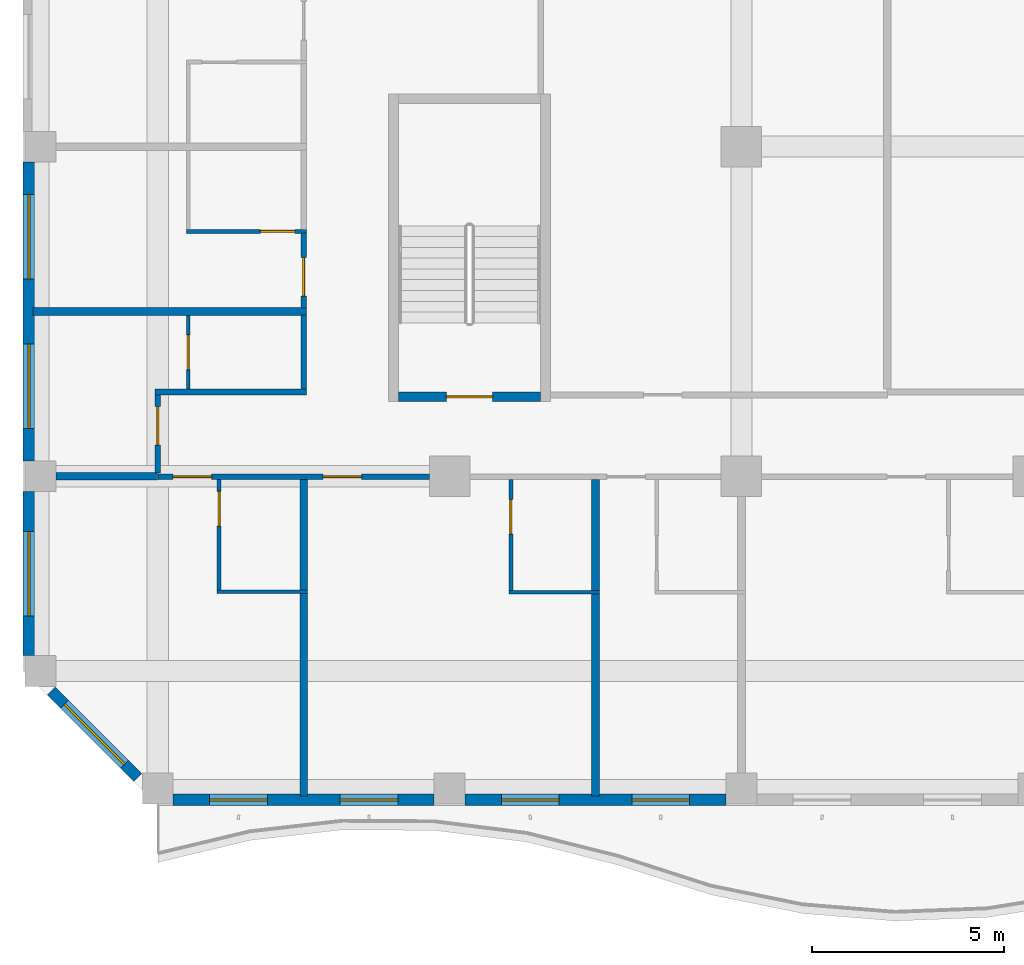
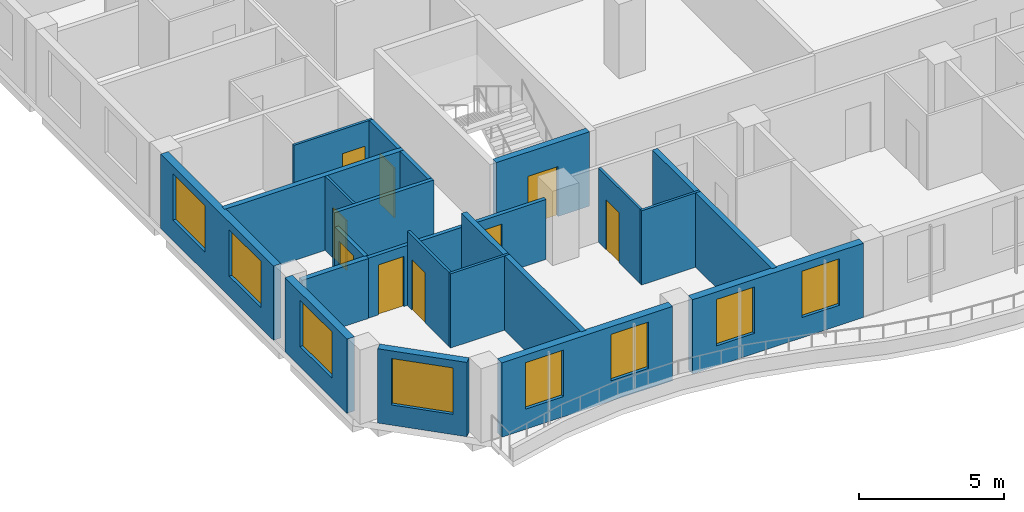
# One storey, part 2 of 23: 23 walls, 9 doors, 8 windows, 17 openings.
"""IFC4 building model written with IfcOpenShell, lengths in metres."""

from ifc_helpers import new_model, si_unit, direction, frame, frame_2d, origin, place, context, subcontext, project, spatial, rectangle, extrude, source, transform, mapped, material, layer, layer_set, type_object, element, fill, save


model = new_model("IFC4")

# Units and contexts
model_context = context("Model", 3, precision=1e-05, world=origin(), true_north=direction((0.0, 1.0)))
body_context = subcontext(model_context, "Body", "Model", "MODEL_VIEW")
ifc_project = project(units=[si_unit("LENGTHUNIT", "METRE"), si_unit("AREAUNIT", "SQUARE_METRE"), si_unit("VOLUMEUNIT", "CUBIC_METRE"), si_unit("PLANEANGLEUNIT", "RADIAN"), si_unit("MASSUNIT", "GRAM", prefix="KILO")], contexts=[model_context])

# Site, building, storey
site_placement = place(None, origin())
site = spatial("IfcSite", under=ifc_project, at=site_placement, CompositionType="ELEMENT")
building_placement = place(site_placement, origin())
building = spatial("IfcBuilding", under=site, at=building_placement, Name="Kilnfold Tower and Market Hall", CompositionType="ELEMENT")
storey_placement = place(building_placement, frame((0.0, 0.0, 178.699951171875)))
storey = spatial("IfcBuildingStorey", under=building, at=storey_placement, Name="L42", CompositionType="ELEMENT", Elevation=178.699951171875)

# Wall, openings, doors
ifc_material_1 = material(Name="Gypsum board on steel studs", Category="steel")
ifc_layer_1 = layer(ifc_material_1, 0.14990234375)
ifc_layer_set_1 = layer_set([ifc_layer_1], Name="Gypsum board on steel studs")
wall_type_1 = type_object("IfcWallType", Name="WALL CORRIDOR 150", PredefinedType="PARTITIONING", material=ifc_layer_set_1)
wall_1_placement = place(storey_placement, frame((-23.75, -17.699951171875, 0.0), z_axis=(0.0, 0.0, 1.0), x_axis=(1.0, 0.0, 0.0)))
wall_1 = element("IfcWall", 1, at=wall_1_placement, inside=storey, type_object=wall_type_1, Name="Partition LY27.1", PredefinedType="PARTITIONING", context=body_context, shape_type="SweptSolid", body=[
    extrude(rectangle(XDim=7.05810546875, YDim=0.14990234375, at=frame_2d((3.529052734375, 0.0))), origin(), (0.0, 0.0, 1.0), 2.52001953125),
])
opening_1_placement = place(wall_1_placement, frame((0.40087890625, 0.0, 0.0)))
opening_1 = element("IfcOpeningElement", 2, at=opening_1_placement, cuts=wall_1, Name="Opening D1", PredefinedType="OPENING", context=body_context, shape_type="SweptSolid", body=[
    extrude(rectangle(XDim=1.0, YDim=2.10009765625, at=frame_2d((0.5, 1.050048828125))), frame((0.0, 0.0849609375, 0.0), z_axis=(0.0, -1.0, 0.0), x_axis=(1.0, 0.0, 0.0)), (0.0, 0.0, 1.0), 0.169921875),
])
opening_2_placement = place(wall_1_placement, frame((4.2939453125, 0.0, 0.0)))
opening_2 = element("IfcOpeningElement", 3, at=opening_2_placement, cuts=wall_1, Name="Opening D1", PredefinedType="OPENING", context=body_context, shape_type="SweptSolid", body=[
    extrude(rectangle(XDim=1.0, YDim=2.10009765625, at=frame_2d((0.5, 1.050048828125))), frame((0.0, 0.0849609375, 0.0), z_axis=(0.0, -1.0, 0.0), x_axis=(1.0, 0.0, 0.0)), (0.0, 0.0, 1.0), 0.169921875),
])
ifc_material_2 = material(Name="Timber veneer door leaf in steel frame", Category="steel")
door_type_1 = type_object("IfcDoorType", Name="DOOR ENTRY 1000 X2100", OperationType="NOTDEFINED", PredefinedType="DOOR", material=ifc_material_2)
door_1_placement = place(opening_1_placement, origin())
door_1 = element("IfcDoor", 4, at=door_1_placement, inside=storey, type_object=door_type_1, Name="Door D1", OperationType="SINGLE_SWING_LEFT", OverallHeight=2.10009765625, OverallWidth=1.0, PredefinedType="DOOR", context=body_context, shape_type="SweptSolid", body=[
    extrude(rectangle(XDim=1.0, YDim=2.10009765625, at=frame_2d((0.5, 1.050048828125))), frame((0.0, 0.02490234375, 0.0), z_axis=(0.0, -1.0, 0.0), x_axis=(1.0, 0.0, 0.0)), (0.0, 0.0, 1.0), 0.050048828125),
])
fill(opening_1, door_1)
door_2_placement = place(opening_2_placement, origin())
door_2 = element("IfcDoor", 5, at=door_2_placement, inside=storey, type_object=door_type_1, Name="Door D1", OperationType="SINGLE_SWING_RIGHT", OverallHeight=2.10009765625, OverallWidth=1.0, PredefinedType="DOOR", context=body_context, shape_type="SweptSolid", body=[
    extrude(rectangle(XDim=1.0, YDim=2.10009765625, at=frame_2d((0.5, 1.050048828125))), frame((0.0, 0.02490234375, 0.0), z_axis=(0.0, -1.0, 0.0), x_axis=(1.0, 0.0, 0.0)), (0.0, 0.0, 1.0), 0.050048828125),
])
fill(opening_2, door_2)

# Wall, opening, door
wall_2_placement = place(storey_placement, frame((-23.75, -15.574951171875, 0.0), z_axis=(0.0, 0.0, 1.0), x_axis=(0.0, -1.0, 0.0)))
wall_2 = element("IfcWall", 6, at=wall_2_placement, inside=storey, type_object=wall_type_1, Name="Partition LY27.7", PredefinedType="PARTITIONING", context=body_context, shape_type="SweptSolid", body=[
    extrude(rectangle(XDim=2.02294921875, YDim=0.14990234375, at=frame_2d((1.011474609375, 0.0))), origin(), (0.0, 0.0, 1.0), 2.52001953125),
])
opening_3_placement = place(wall_2_placement, frame((0.303955078125, 0.0, 0.0)))
opening_3 = element("IfcOpeningElement", 7, at=opening_3_placement, cuts=wall_2, Name="Opening D1", PredefinedType="OPENING", context=body_context, shape_type="SweptSolid", body=[
    extrude(rectangle(XDim=1.0, YDim=2.10009765625, at=frame_2d((0.5, 1.050048828125))), frame((0.0, 0.0849609375, 0.0), z_axis=(0.0, -1.0, 0.0), x_axis=(1.0, 0.0, 0.0)), (0.0, 0.0, 1.0), 0.169921875),
])
door_3_placement = place(opening_3_placement, origin())
door_3 = element("IfcDoor", 8, at=door_3_placement, inside=storey, type_object=door_type_1, Name="Door D1", OperationType="SINGLE_SWING_RIGHT", OverallHeight=2.10009765625, OverallWidth=1.0, PredefinedType="DOOR", context=body_context, shape_type="SweptSolid", body=[
    extrude(rectangle(XDim=1.0, YDim=2.10009765625, at=frame_2d((0.5, 1.050048828125))), frame((0.0, 0.02490234375, 0.0), z_axis=(0.0, -1.0, 0.0), x_axis=(1.0, 0.0, 0.0)), (0.0, 0.0, 1.0), 0.050048828125),
])
fill(opening_3, door_3)

# Walls
wall_3_placement = place(storey_placement, frame((-23.824951171875, -15.5, 0.0), z_axis=(0.0, 0.0, 1.0), x_axis=(1.0, 0.0, 0.0)))
element("IfcWall", 9, at=wall_3_placement, inside=storey, type_object=wall_type_1, Name="Partition LY27.8", PredefinedType="PARTITIONING", context=body_context, shape_type="SweptSolid", body=[
    extrude(rectangle(XDim=3.94091796875, YDim=0.14990234375, at=frame_2d((1.970458984375, 0.0))), origin(), (0.0, 0.0, 1.0), 3.1201171875),
])
wall_4_placement = place(storey_placement, frame((-19.958984375, -15.425048828125, 0.0), z_axis=(0.0, 0.0, 1.0), x_axis=(0.0, 1.0, 0.0)))
element("IfcWall", 10, at=wall_4_placement, inside=storey, type_object=wall_type_1, Name="Partition LY27.9", PredefinedType="PARTITIONING", context=body_context, shape_type="SweptSolid", body=[
    extrude(rectangle(XDim=1.928955078125, YDim=0.14990234375, at=frame_2d((0.96435546875, 0.0))), origin(), (0.0, 0.0, 1.0), 3.1201171875),
])

# Wall, opening, door
wall_5_placement = place(storey_placement, frame((-19.958984375, -13.31591796875, 0.0), z_axis=(0.0, 0.0, 1.0), x_axis=(0.0, 1.0, 0.0)))
wall_5 = element("IfcWall", 11, at=wall_5_placement, inside=storey, type_object=wall_type_1, Name="Partition LY27.10", PredefinedType="PARTITIONING", context=body_context, shape_type="SweptSolid", body=[
    extrude(rectangle(XDim=1.950927734375, YDim=0.14990234375, at=frame_2d((0.9755859375, 0.0))), origin(), (0.0, 0.0, 1.0), 3.1201171875),
])
opening_4_placement = place(wall_5_placement, frame((0.31005859375, 0.0, 0.0)))
opening_4 = element("IfcOpeningElement", 12, at=opening_4_placement, cuts=wall_5, Name="Opening D1", PredefinedType="OPENING", context=body_context, shape_type="SweptSolid", body=[
    extrude(rectangle(XDim=1.0, YDim=2.10009765625, at=frame_2d((0.5, 1.050048828125))), frame((0.0, 0.0849609375, 0.0), z_axis=(0.0, -1.0, 0.0), x_axis=(1.0, 0.0, 0.0)), (0.0, 0.0, 1.0), 0.169921875),
])
door_4_placement = place(opening_4_placement, origin())
door_4 = element("IfcDoor", 13, at=door_4_placement, inside=storey, type_object=door_type_1, Name="Door D1", OperationType="SINGLE_SWING_LEFT", OverallHeight=2.10009765625, OverallWidth=1.0, PredefinedType="DOOR", context=body_context, shape_type="SweptSolid", body=[
    extrude(rectangle(XDim=1.0, YDim=2.10009765625, at=frame_2d((0.5, 1.050048828125))), frame((0.0, 0.02490234375, 0.0), z_axis=(0.0, -1.0, 0.0), x_axis=(1.0, 0.0, 0.0)), (0.0, 0.0, 1.0), 0.050048828125),
])
fill(opening_4, door_4)

ifc_material_3 = material(Name="Gypsum board on steel studs", Category="steel")
ifc_layer_2 = layer(ifc_material_3, 0.10009765625)
ifc_layer_set_2 = layer_set([ifc_layer_2], Name="Gypsum board on steel studs")
wall_type_2 = type_object("IfcWallType", Name="WALL PARTITION 100", PredefinedType="PARTITIONING", material=ifc_layer_set_2)
wall_6_placement = place(storey_placement, frame((-22.158935546875, -20.637939453125, 0.0), z_axis=(0.0, 0.0, 1.0), x_axis=(0.0, 1.0, 0.0)))
wall_6 = element("IfcWall", 14, at=wall_6_placement, inside=storey, type_object=wall_type_2, Name="Partition LY27.50", PredefinedType="PARTITIONING", context=body_context, shape_type="SweptSolid", body=[
    extrude(rectangle(XDim=2.86083984375, YDim=0.10009765625, at=frame_2d((1.430419921875, 0.0))), origin(), (0.0, 0.0, 1.0), 3.1201171875),
])
opening_5_placement = place(wall_6_placement, frame((1.656982421875, 0.0, 0.0)))
opening_5 = element("IfcOpeningElement", 15, at=opening_5_placement, cuts=wall_6, Name="Opening D3", PredefinedType="OPENING", context=body_context, shape_type="SweptSolid", body=[
    extrude(rectangle(XDim=0.89990234375, YDim=2.10009765625, at=frame_2d((0.449951171875, 1.050048828125))), frame((0.0, 0.06005859375, 0.0), z_axis=(0.0, -1.0, 0.0), x_axis=(1.0, 0.0, 0.0)), (0.0, 0.0, 1.0), 0.1201171875),
])
ifc_material_4 = material(Name="Timber veneer door leaf in steel frame", Category="steel")
door_type_2 = type_object("IfcDoorType", Name="DOOR WC 900 X2100", OperationType="NOTDEFINED", PredefinedType="DOOR", material=ifc_material_4)
door_5_placement = place(opening_5_placement, origin())
door_5 = element("IfcDoor", 16, at=door_5_placement, inside=storey, type_object=door_type_2, Name="Door D3", OperationType="SINGLE_SWING_LEFT", OverallHeight=2.10009765625, OverallWidth=0.89990234375, PredefinedType="DOOR", context=body_context, shape_type="SweptSolid", body=[
    extrude(rectangle(XDim=0.89990234375, YDim=2.10009765625, at=frame_2d((0.449951171875, 1.050048828125))), frame((0.0, 0.02490234375, 0.0), z_axis=(0.0, -1.0, 0.0), x_axis=(1.0, 0.0, 0.0)), (0.0, 0.0, 1.0), 0.050048828125),
])
fill(opening_5, door_5)

# Wall
wall_7_placement = place(storey_placement, frame((-22.208984375, -20.68798828125, 0.0), z_axis=(0.0, 0.0, 1.0), x_axis=(1.0, 0.0, 0.0)))
element("IfcWall", 17, at=wall_7_placement, inside=storey, type_object=wall_type_2, Name="Partition LY27.51", PredefinedType="PARTITIONING", context=body_context, shape_type="SweptSolid", body=[
    extrude(rectangle(XDim=2.35009765625, YDim=0.10009765625, at=frame_2d((1.175048828125, 0.0))), origin(), (0.0, 0.0, 1.0), 3.1201171875),
])

# Wall, opening, door
wall_8_placement = place(storey_placement, frame((-14.574951171875, -20.652099609375, 0.0), z_axis=(0.0, 0.0, 1.0), x_axis=(0.0, 1.0, 0.0)))
wall_8 = element("IfcWall", 18, at=wall_8_placement, inside=storey, type_object=wall_type_2, Name="Partition LY27.55", PredefinedType="PARTITIONING", context=body_context, shape_type="SweptSolid", body=[
    extrude(rectangle(XDim=2.875, YDim=0.10009765625, at=frame_2d((1.4375, 0.0))), origin(), (0.0, 0.0, 1.0), 3.1201171875),
])
opening_6_placement = place(wall_8_placement, frame((1.4599609375, 0.0, 0.0)))
opening_6 = element("IfcOpeningElement", 19, at=opening_6_placement, cuts=wall_8, Name="Opening D3", PredefinedType="OPENING", context=body_context, shape_type="SweptSolid", body=[
    extrude(rectangle(XDim=0.89990234375, YDim=2.10009765625, at=frame_2d((0.449951171875, 1.050048828125))), frame((0.0, 0.06005859375, 0.0), z_axis=(0.0, -1.0, 0.0), x_axis=(1.0, 0.0, 0.0)), (0.0, 0.0, 1.0), 0.1201171875),
])
door_6_placement = place(opening_6_placement, origin())
door_6 = element("IfcDoor", 20, at=door_6_placement, inside=storey, type_object=door_type_2, Name="Door D3", OperationType="SINGLE_SWING_LEFT", OverallHeight=2.10009765625, OverallWidth=0.89990234375, PredefinedType="DOOR", context=body_context, shape_type="SweptSolid", body=[
    extrude(rectangle(XDim=0.89990234375, YDim=2.10009765625, at=frame_2d((0.449951171875, 1.050048828125))), frame((0.0, 0.02490234375, 0.0), z_axis=(0.0, -1.0, 0.0), x_axis=(1.0, 0.0, 0.0)), (0.0, 0.0, 1.0), 0.050048828125),
])
fill(opening_6, door_6)

# Wall
wall_9_placement = place(storey_placement, frame((-14.625, -20.701904296875, 0.0), z_axis=(0.0, 0.0, 1.0), x_axis=(1.0, 0.0, 0.0)))
element("IfcWall", 21, at=wall_9_placement, inside=storey, type_object=wall_type_2, Name="Partition LY27.56", PredefinedType="PARTITIONING", context=body_context, shape_type="SweptSolid", body=[
    extrude(rectangle(XDim=2.35009765625, YDim=0.10009765625, at=frame_2d((1.175048828125, 0.0))), origin(), (0.0, 0.0, 1.0), 3.1201171875),
])

# Wall, opening, door
wall_10_placement = place(storey_placement, frame((-22.9609375, -15.423095703125, 0.0), z_axis=(0.0, 0.0, 1.0), x_axis=(0.0, 1.0, 0.0)))
wall_10 = element("IfcWall", 22, at=wall_10_placement, inside=storey, type_object=wall_type_2, Name="Partition LY27.83", PredefinedType="PARTITIONING", context=body_context, shape_type="SweptSolid", body=[
    extrude(rectangle(XDim=1.9169921875, YDim=0.10009765625, at=frame_2d((0.95849609375, 0.0))), origin(), (0.0, 0.0, 1.0), 3.1201171875),
])
opening_7_placement = place(wall_10_placement, frame((0.508056640625, 0.0, 0.0)))
opening_7 = element("IfcOpeningElement", 23, at=opening_7_placement, cuts=wall_10, Name="Opening D3", PredefinedType="OPENING", context=body_context, shape_type="SweptSolid", body=[
    extrude(rectangle(XDim=0.89990234375, YDim=2.10009765625, at=frame_2d((0.449951171875, 1.050048828125))), frame((0.0, 0.06005859375, 0.0), z_axis=(0.0, -1.0, 0.0), x_axis=(1.0, 0.0, 0.0)), (0.0, 0.0, 1.0), 0.1201171875),
])
door_7_placement = place(opening_7_placement, origin())
door_7 = element("IfcDoor", 24, at=door_7_placement, inside=storey, type_object=door_type_2, Name="Door D3", OperationType="SINGLE_SWING_RIGHT", OverallHeight=2.10009765625, OverallWidth=0.89990234375, PredefinedType="DOOR", context=body_context, shape_type="SweptSolid", body=[
    extrude(rectangle(XDim=0.89990234375, YDim=2.10009765625, at=frame_2d((0.449951171875, 1.050048828125))), frame((0.0, 0.02490234375, 0.0), z_axis=(0.0, -1.0, 0.0), x_axis=(1.0, 0.0, 0.0)), (0.0, 0.0, 1.0), 0.050048828125),
])
fill(opening_7, door_7)

wall_11_placement = place(storey_placement, frame((-19.885986328125, -11.324951171875, 0.0), z_axis=(0.0, 0.0, 1.0), x_axis=(-1.0, 0.0, 0.0)))
wall_11 = element("IfcWall", 25, at=wall_11_placement, inside=storey, type_object=wall_type_2, Name="Partition LY27.85", PredefinedType="PARTITIONING", context=body_context, shape_type="SweptSolid", body=[
    extrude(rectangle(XDim=3.125, YDim=0.10009765625, at=frame_2d((1.5625, 0.0))), origin(), (0.0, 0.0, 1.0), 3.1201171875),
])
opening_8_placement = place(wall_11_placement, frame((0.301025390625, 0.0, 0.0)))
opening_8 = element("IfcOpeningElement", 26, at=opening_8_placement, cuts=wall_11, Name="Opening D3", PredefinedType="OPENING", context=body_context, shape_type="SweptSolid", body=[
    extrude(rectangle(XDim=0.89990234375, YDim=2.10009765625, at=frame_2d((0.449951171875, 1.050048828125))), frame((0.0, 0.06005859375, 0.0), z_axis=(0.0, -1.0, 0.0), x_axis=(1.0, 0.0, 0.0)), (0.0, 0.0, 1.0), 0.1201171875),
])
door_8_placement = place(opening_8_placement, origin())
door_8 = element("IfcDoor", 27, at=door_8_placement, inside=storey, type_object=door_type_2, Name="Door D3", OperationType="SINGLE_SWING_RIGHT", OverallHeight=2.10009765625, OverallWidth=0.89990234375, PredefinedType="DOOR", context=body_context, shape_type="SweptSolid", body=[
    extrude(rectangle(XDim=0.89990234375, YDim=2.10009765625, at=frame_2d((0.449951171875, 1.050048828125))), frame((0.0, 0.02490234375, 0.0), z_axis=(0.0, -1.0, 0.0), x_axis=(1.0, 0.0, 0.0)), (0.0, 0.0, 1.0), 0.050048828125),
])
fill(opening_8, door_8)

# Walls
ifc_material_5 = material(Name="Gypsum board on steel studs", Category="steel")
ifc_layer_3 = layer(ifc_material_5, 0.199951171875)
ifc_layer_set_3 = layer_set([ifc_layer_3], Name="Gypsum board on steel studs")
wall_type_3 = type_object("IfcWallType", Name="WALL PARTY 200", PredefinedType="PARTITIONING", material=ifc_layer_set_3)
wall_12_placement = place(storey_placement, frame((-19.958984375, -26.0, 0.0), z_axis=(0.0, 0.0, 1.0), x_axis=(0.0, 1.0, 0.0)))
element("IfcWall", 28, at=wall_12_placement, inside=storey, type_object=wall_type_3, Name="Partition LY27.52", PredefinedType="PARTITIONING", context=body_context, shape_type="SweptSolid", body=[
    extrude(rectangle(XDim=5.261962890625, YDim=0.199951171875, at=frame_2d((2.630859375, 0.0))), origin(), (0.0, 0.0, 1.0), 3.1201171875),
])
wall_13_placement = place(storey_placement, frame((-26.39990234375, -17.68798828125, 0.0), z_axis=(0.0, 0.0, 1.0), x_axis=(1.0, 0.0, 0.0)))
element("IfcWall", 29, at=wall_13_placement, inside=storey, type_object=wall_type_3, Name="Partition LY27.53", PredefinedType="PARTITIONING", context=body_context, shape_type="SweptSolid", body=[
    extrude(rectangle(XDim=2.64794921875, YDim=0.199951171875, at=frame_2d((1.323974609375, 0.0))), origin(), (0.0, 0.0, 1.0), 2.52001953125),
])
wall_14_placement = place(storey_placement, frame((-19.958984375, -20.637939453125, 0.0), z_axis=(0.0, 0.0, 1.0), x_axis=(0.0, 1.0, 0.0)))
element("IfcWall", 30, at=wall_14_placement, inside=storey, type_object=wall_type_3, Name="Partition LY27.54", PredefinedType="PARTITIONING", context=body_context, shape_type="SweptSolid", body=[
    extrude(rectangle(XDim=2.86083984375, YDim=0.199951171875, at=frame_2d((1.430419921875, 0.0))), origin(), (0.0, 0.0, 1.0), 3.1201171875),
])
wall_15_placement = place(storey_placement, frame((-12.375, -26.0, 0.0), z_axis=(0.0, 0.0, 1.0), x_axis=(0.0, 1.0, 0.0)))
element("IfcWall", 31, at=wall_15_placement, inside=storey, type_object=wall_type_3, Name="Partition LY27.57", PredefinedType="PARTITIONING", context=body_context, shape_type="SweptSolid", body=[
    extrude(rectangle(XDim=5.248046875, YDim=0.199951171875, at=frame_2d((2.6240234375, 0.0))), origin(), (0.0, 0.0, 1.0), 3.1201171875),
])
wall_16_placement = place(storey_placement, frame((-12.375, -20.652099609375, 0.0), z_axis=(0.0, 0.0, 1.0), x_axis=(0.0, 1.0, 0.0)))
element("IfcWall", 32, at=wall_16_placement, inside=storey, type_object=wall_type_3, Name="Partition LY27.58", PredefinedType="PARTITIONING", context=body_context, shape_type="SweptSolid", body=[
    extrude(rectangle(XDim=2.875, YDim=0.199951171875, at=frame_2d((1.4375, 0.0))), origin(), (0.0, 0.0, 1.0), 3.1201171875),
])
wall_17_placement = place(storey_placement, frame((-27.0, -13.406005859375, 0.0), z_axis=(0.0, 0.0, 1.0), x_axis=(1.0, 0.0, 0.0)))
element("IfcWall", 33, at=wall_17_placement, inside=storey, type_object=wall_type_3, Name="Partition LY27.84", PredefinedType="PARTITIONING", context=body_context, shape_type="SweptSolid", body=[
    extrude(rectangle(XDim=7.114013671875, YDim=0.199951171875, at=frame_2d((3.55712890625, 0.0))), origin(), (0.0, 0.0, 1.0), 3.1201171875),
])

# Wall, opening, door
ifc_material_6 = material(Name="Concrete C70", Category="concrete")
ifc_layer_4 = layer(ifc_material_6, 0.25)
ifc_layer_set_4 = layer_set([ifc_layer_4], Name="Concrete C70")
wall_type_4 = type_object("IfcWallType", Name="CORE WALL 250 C70", PredefinedType="SHEAR", material=ifc_layer_set_4)
shared_shape_1 = source(origin(), body_context, "Body", "SweptSolid", [
    extrude(rectangle(XDim=3.699951171875, YDim=0.25, at=frame_2d((1.85009765625, 0.0))), origin(), (0.0, 0.0, 1.0), 3.1201171875),
])
wall_18_placement = place(storey_placement, frame((-17.5, -15.625, 0.0), z_axis=(0.0, 0.0, 1.0), x_axis=(1.0, 0.0, 0.0)))
wall_18 = element("IfcWall", 34, at=wall_18_placement, inside=storey, type_object=wall_type_4, Name="Stair enclosure ST3", PredefinedType="SHEAR", context=body_context, shape_type="MappedRepresentation", body=[
    mapped(shared_shape_1, transform((0.0, 0.0, 0.0))),
])
opening_9_placement = place(wall_18_placement, frame((1.25, 0.0, 0.0)))
opening_9 = element("IfcOpeningElement", 35, at=opening_9_placement, cuts=wall_18, Name="Opening SD1", PredefinedType="OPENING", context=body_context, shape_type="SweptSolid", body=[
    extrude(rectangle(XDim=1.199951171875, YDim=2.10009765625, at=frame_2d((0.60009765625, 1.050048828125))), frame((0.0, 0.135009765625, 0.0), z_axis=(0.0, -1.0, 0.0), x_axis=(1.0, 0.0, 0.0)), (0.0, 0.0, 1.0), 0.27001953125),
])
ifc_material_7 = material(Name="Steel door set with fire-resisting leaf", Category="steel")
door_type_3 = type_object("IfcDoorType", Name="STAIR FLOOR DOOR 1200X2100", OperationType="NOTDEFINED", PredefinedType="DOOR", material=ifc_material_7)
door_9_placement = place(opening_9_placement, origin())
door_9 = element("IfcDoor", 36, at=door_9_placement, inside=storey, type_object=door_type_3, Name="Exit stair ST3 door", OperationType="DOUBLE_DOOR_SINGLE_SWING", OverallHeight=2.10009765625, OverallWidth=1.199951171875, PredefinedType="DOOR", context=body_context, shape_type="SweptSolid", body=[
    extrude(rectangle(XDim=1.199951171875, YDim=2.10009765625, at=frame_2d((0.60009765625, 1.050048828125))), frame((0.0, 0.02490234375, 0.0), z_axis=(0.0, -1.0, 0.0), x_axis=(1.0, 0.0, 0.0)), (0.0, 0.0, 1.0), 0.050048828125),
])
fill(opening_9, door_9)

# Wall, openings, windows
ifc_material_8 = material(Name="Precast concrete C50/60", Category="concrete")
ifc_layer_5 = layer(ifc_material_8, 0.300048828125)
ifc_layer_set_5 = layer_set([ifc_layer_5], Name="Precast concrete C50/60")
wall_type_5 = type_object("IfcWallType", Name="PRECAST WALL 300", PredefinedType="SOLIDWALL", material=ifc_layer_set_5)
shared_shape_2 = source(origin(), body_context, "Body", "SweptSolid", [
    extrude(rectangle(XDim=6.783447265625, YDim=0.300048828125, at=frame_2d((3.3916015625, 0.0))), origin(), (0.0, 0.0, 1.0), 3.1201171875),
])
wall_19_placement = place(storey_placement, frame((-23.35009765625, -26.10009765625, 0.0), z_axis=(0.0, 0.0, 1.0), x_axis=(1.0, 0.0, 0.0)))
wall_19 = element("IfcWall", 37, at=wall_19_placement, inside=storey, type_object=wall_type_5, Name="External wall L42 S", PredefinedType="SOLIDWALL", context=body_context, shape_type="MappedRepresentation", body=[
    mapped(shared_shape_2, transform((0.0, 0.0, 0.0))),
])
opening_10_placement = place(wall_19_placement, frame((0.94580078125, 0.0, 0.85009765625)))
opening_10 = element("IfcOpeningElement", 38, at=opening_10_placement, cuts=wall_19, Name="Opening W4", PredefinedType="OPENING", context=body_context, shape_type="SweptSolid", body=[
    extrude(rectangle(XDim=1.5, YDim=1.949951171875, at=frame_2d((0.75, 0.97509765625))), frame((0.0, 0.16015625, 0.0), z_axis=(0.0, -1.0, 0.0), x_axis=(1.0, 0.0, 0.0)), (0.0, 0.0, 1.0), 0.320068359375),
])
opening_11_placement = place(wall_19_placement, frame((4.33740234375, 0.0, 0.85009765625)))
opening_11 = element("IfcOpeningElement", 39, at=opening_11_placement, cuts=wall_19, Name="Opening W4", PredefinedType="OPENING", context=body_context, shape_type="SweptSolid", body=[
    extrude(rectangle(XDim=1.5, YDim=1.949951171875, at=frame_2d((0.75, 0.97509765625))), frame((0.0, 0.16015625, 0.0), z_axis=(0.0, -1.0, 0.0), x_axis=(1.0, 0.0, 0.0)), (0.0, 0.0, 1.0), 0.320068359375),
])
ifc_material_9 = material(Name="Aluminium frame and double glazing", Category="aluminium")
window_type_1 = type_object("IfcWindowType", Name="WINDOW W4 1500X1950", PartitioningType="SINGLE_PANEL", PredefinedType="WINDOW", material=ifc_material_9)
window_1_placement = place(opening_10_placement, origin())
window_1 = element("IfcWindow", 40, at=window_1_placement, inside=storey, type_object=window_type_1, Name="Window W4 L42 S-1", OverallHeight=1.949951171875, OverallWidth=1.5, PartitioningType="SINGLE_PANEL", PredefinedType="WINDOW", context=body_context, shape_type="SweptSolid", body=[
    extrude(rectangle(XDim=1.5, YDim=1.949951171875, at=frame_2d((0.75, 0.97509765625))), frame((0.0, 0.030029296875, 0.0), z_axis=(0.0, -1.0, 0.0), x_axis=(1.0, 0.0, 0.0)), (0.0, 0.0, 1.0), 0.06005859375),
])
fill(opening_10, window_1)
window_2_placement = place(opening_11_placement, origin())
window_2 = element("IfcWindow", 41, at=window_2_placement, inside=storey, type_object=window_type_1, Name="Window W4 L42 S-2", OverallHeight=1.949951171875, OverallWidth=1.5, PartitioningType="SINGLE_PANEL", PredefinedType="WINDOW", context=body_context, shape_type="SweptSolid", body=[
    extrude(rectangle(XDim=1.5, YDim=1.949951171875, at=frame_2d((0.75, 0.97509765625))), frame((0.0, 0.030029296875, 0.0), z_axis=(0.0, -1.0, 0.0), x_axis=(1.0, 0.0, 0.0)), (0.0, 0.0, 1.0), 0.06005859375),
])
fill(opening_11, window_2)

shared_shape_3 = source(origin(), body_context, "Body", "SweptSolid", [
    extrude(rectangle(XDim=6.783203125, YDim=0.300048828125, at=frame_2d((3.3916015625, 0.0))), origin(), (0.0, 0.0, 1.0), 3.1201171875),
])
wall_20_placement = place(storey_placement, frame((-15.7666015625, -26.10009765625, 0.0), z_axis=(0.0, 0.0, 1.0), x_axis=(1.0, 0.0, 0.0)))
wall_20 = element("IfcWall", 42, at=wall_20_placement, inside=storey, type_object=wall_type_5, Name="External wall L42 S", PredefinedType="SOLIDWALL", context=body_context, shape_type="MappedRepresentation", body=[
    mapped(shared_shape_3, transform((0.0, 0.0, 0.0))),
])
opening_12_placement = place(wall_20_placement, frame((0.94580078125, 0.0, 0.85009765625)))
opening_12 = element("IfcOpeningElement", 43, at=opening_12_placement, cuts=wall_20, Name="Opening W4", PredefinedType="OPENING", context=body_context, shape_type="SweptSolid", body=[
    extrude(rectangle(XDim=1.5, YDim=1.949951171875, at=frame_2d((0.75, 0.97509765625))), frame((0.0, 0.16015625, 0.0), z_axis=(0.0, -1.0, 0.0), x_axis=(1.0, 0.0, 0.0)), (0.0, 0.0, 1.0), 0.320068359375),
])
opening_13_placement = place(wall_20_placement, frame((4.337646484375, 0.0, 0.85009765625)))
opening_13 = element("IfcOpeningElement", 44, at=opening_13_placement, cuts=wall_20, Name="Opening W4", PredefinedType="OPENING", context=body_context, shape_type="SweptSolid", body=[
    extrude(rectangle(XDim=1.5, YDim=1.949951171875, at=frame_2d((0.75, 0.97509765625))), frame((0.0, 0.16015625, 0.0), z_axis=(0.0, -1.0, 0.0), x_axis=(1.0, 0.0, 0.0)), (0.0, 0.0, 1.0), 0.320068359375),
])
window_3_placement = place(opening_12_placement, origin())
window_3 = element("IfcWindow", 45, at=window_3_placement, inside=storey, type_object=window_type_1, Name="Window W4 L42 S-1", OverallHeight=1.949951171875, OverallWidth=1.5, PartitioningType="SINGLE_PANEL", PredefinedType="WINDOW", context=body_context, shape_type="SweptSolid", body=[
    extrude(rectangle(XDim=1.5, YDim=1.949951171875, at=frame_2d((0.75, 0.97509765625))), frame((0.0, 0.030029296875, 0.0), z_axis=(0.0, -1.0, 0.0), x_axis=(1.0, 0.0, 0.0)), (0.0, 0.0, 1.0), 0.06005859375),
])
fill(opening_12, window_3)
window_4_placement = place(opening_13_placement, origin())
window_4 = element("IfcWindow", 46, at=window_4_placement, inside=storey, type_object=window_type_1, Name="Window W4 L42 S-2", OverallHeight=1.949951171875, OverallWidth=1.5, PartitioningType="SINGLE_PANEL", PredefinedType="WINDOW", context=body_context, shape_type="SweptSolid", body=[
    extrude(rectangle(XDim=1.5, YDim=1.949951171875, at=frame_2d((0.75, 0.97509765625))), frame((0.0, 0.030029296875, 0.0), z_axis=(0.0, -1.0, 0.0), x_axis=(1.0, 0.0, 0.0)), (0.0, 0.0, 1.0), 0.06005859375),
])
fill(opening_13, window_4)

# Wall, opening, window
shared_shape_4 = source(origin(), body_context, "Body", "SweptSolid", [
    extrude(rectangle(XDim=3.18212890625, YDim=0.300048828125, at=frame_2d((1.591064453125, 0.0))), origin(), (0.0, 0.0, 1.0), 3.1201171875),
])
wall_21_placement = place(storey_placement, frame((-26.518798828125, -23.268798828125, 0.0), z_axis=(0.0, 0.0, 1.0), x_axis=(0.707068419229, -0.707145141063, 0.0)))
wall_21 = element("IfcWall", 47, at=wall_21_placement, inside=storey, type_object=wall_type_5, Name="External wall L42 SW", PredefinedType="SOLIDWALL", context=body_context, shape_type="MappedRepresentation", body=[
    mapped(shared_shape_4, transform((0.0, 0.0, 0.0))),
])
opening_14_placement = place(wall_21_placement, frame((0.490966796875, 0.0, 0.85009765625)))
opening_14 = element("IfcOpeningElement", 48, at=opening_14_placement, cuts=wall_21, Name="Opening W2", PredefinedType="OPENING", context=body_context, shape_type="SweptSolid", body=[
    extrude(rectangle(XDim=2.199951171875, YDim=1.949951171875, at=frame_2d((1.10009765625, 0.97509765625))), frame((0.0, 0.16015625, 0.0), z_axis=(0.0, -1.0, 0.0), x_axis=(1.0, 0.0, 0.0)), (0.0, 0.0, 1.0), 0.320068359375),
])
ifc_material_10 = material(Name="Aluminium frame and double glazing", Category="aluminium")
window_type_2 = type_object("IfcWindowType", Name="WINDOW W2 2200X1950", PartitioningType="SINGLE_PANEL", PredefinedType="WINDOW", material=ifc_material_10)
window_5_placement = place(opening_14_placement, origin())
window_5 = element("IfcWindow", 49, at=window_5_placement, inside=storey, type_object=window_type_2, Name="Window W2 L42 SW-1", OverallHeight=1.949951171875, OverallWidth=2.199951171875, PartitioningType="SINGLE_PANEL", PredefinedType="WINDOW", context=body_context, shape_type="SweptSolid", body=[
    extrude(rectangle(XDim=2.199951171875, YDim=1.949951171875, at=frame_2d((1.10009765625, 0.97509765625))), frame((0.0, 0.030029296875, 0.0), z_axis=(0.0, -1.0, 0.0), x_axis=(1.0, 0.0, 0.0)), (0.0, 0.0, 1.0), 0.06005859375),
])
fill(opening_14, window_5)

# Wall, openings, windows
shared_shape_5 = source(origin(), body_context, "Body", "SweptSolid", [
    extrude(rectangle(XDim=7.7626953125, YDim=0.300048828125, at=frame_2d((3.88134765625, 0.0))), origin(), (0.0, 0.0, 1.0), 3.1201171875),
])
wall_22_placement = place(storey_placement, frame((-27.10009765625, -9.52490234375, 0.0), z_axis=(0.0, 0.0, 1.0), x_axis=(0.0, -1.0, 0.0)))
wall_22 = element("IfcWall", 50, at=wall_22_placement, inside=storey, type_object=wall_type_5, Name="External wall L42 W", PredefinedType="SOLIDWALL", context=body_context, shape_type="MappedRepresentation", body=[
    mapped(shared_shape_5, transform((0.0, 0.0, 0.0))),
])
opening_15_placement = place(wall_22_placement, frame((0.840576171875, 0.0, 0.85009765625)))
opening_15 = element("IfcOpeningElement", 51, at=opening_15_placement, cuts=wall_22, Name="Opening W2", PredefinedType="OPENING", context=body_context, shape_type="SweptSolid", body=[
    extrude(rectangle(XDim=2.199951171875, YDim=1.949951171875, at=frame_2d((1.10009765625, 0.97509765625))), frame((0.0, 0.16015625, 0.0), z_axis=(0.0, -1.0, 0.0), x_axis=(1.0, 0.0, 0.0)), (0.0, 0.0, 1.0), 0.320068359375),
])
opening_16_placement = place(wall_22_placement, frame((4.721923828125, 0.0, 0.85009765625)))
opening_16 = element("IfcOpeningElement", 52, at=opening_16_placement, cuts=wall_22, Name="Opening W2", PredefinedType="OPENING", context=body_context, shape_type="SweptSolid", body=[
    extrude(rectangle(XDim=2.199951171875, YDim=1.949951171875, at=frame_2d((1.10009765625, 0.97509765625))), frame((0.0, 0.16015625, 0.0), z_axis=(0.0, -1.0, 0.0), x_axis=(1.0, 0.0, 0.0)), (0.0, 0.0, 1.0), 0.320068359375),
])
window_6_placement = place(opening_15_placement, origin())
window_6 = element("IfcWindow", 53, at=window_6_placement, inside=storey, type_object=window_type_2, Name="Window W2 L42 W-1", OverallHeight=1.949951171875, OverallWidth=2.199951171875, PartitioningType="SINGLE_PANEL", PredefinedType="WINDOW", context=body_context, shape_type="SweptSolid", body=[
    extrude(rectangle(XDim=2.199951171875, YDim=1.949951171875, at=frame_2d((1.10009765625, 0.97509765625))), frame((0.0, 0.030029296875, 0.0), z_axis=(0.0, -1.0, 0.0), x_axis=(1.0, 0.0, 0.0)), (0.0, 0.0, 1.0), 0.06005859375),
])
fill(opening_15, window_6)
window_7_placement = place(opening_16_placement, origin())
window_7 = element("IfcWindow", 54, at=window_7_placement, inside=storey, type_object=window_type_2, Name="Window W2 L42 W-2", OverallHeight=1.949951171875, OverallWidth=2.199951171875, PartitioningType="SINGLE_PANEL", PredefinedType="WINDOW", context=body_context, shape_type="SweptSolid", body=[
    extrude(rectangle(XDim=2.199951171875, YDim=1.949951171875, at=frame_2d((1.10009765625, 0.97509765625))), frame((0.0, 0.030029296875, 0.0), z_axis=(0.0, -1.0, 0.0), x_axis=(1.0, 0.0, 0.0)), (0.0, 0.0, 1.0), 0.06005859375),
])
fill(opening_16, window_7)

# Wall, opening, window
shared_shape_6 = source(origin(), body_context, "Body", "SweptSolid", [
    extrude(rectangle(XDim=4.2626953125, YDim=0.300048828125, at=frame_2d((2.13134765625, 0.0))), origin(), (0.0, 0.0, 1.0), 3.1201171875),
])
wall_23_placement = place(storey_placement, frame((-27.10009765625, -18.08740234375, 0.0), z_axis=(0.0, 0.0, 1.0), x_axis=(0.0, -1.0, 0.0)))
wall_23 = element("IfcWall", 55, at=wall_23_placement, inside=storey, type_object=wall_type_5, Name="External wall L42 W", PredefinedType="SOLIDWALL", context=body_context, shape_type="MappedRepresentation", body=[
    mapped(shared_shape_6, transform((0.0, 0.0, 0.0))),
])
opening_17_placement = place(wall_23_placement, frame((1.03125, 0.0, 0.85009765625)))
opening_17 = element("IfcOpeningElement", 56, at=opening_17_placement, cuts=wall_23, Name="Opening W2", PredefinedType="OPENING", context=body_context, shape_type="SweptSolid", body=[
    extrude(rectangle(XDim=2.199951171875, YDim=1.949951171875, at=frame_2d((1.10009765625, 0.97509765625))), frame((0.0, 0.16015625, 0.0), z_axis=(0.0, -1.0, 0.0), x_axis=(1.0, 0.0, 0.0)), (0.0, 0.0, 1.0), 0.320068359375),
])
window_8_placement = place(opening_17_placement, origin())
window_8 = element("IfcWindow", 57, at=window_8_placement, inside=storey, type_object=window_type_2, Name="Window W2 L42 W-1", OverallHeight=1.949951171875, OverallWidth=2.199951171875, PartitioningType="SINGLE_PANEL", PredefinedType="WINDOW", context=body_context, shape_type="SweptSolid", body=[
    extrude(rectangle(XDim=2.199951171875, YDim=1.949951171875, at=frame_2d((1.10009765625, 0.97509765625))), frame((0.0, 0.030029296875, 0.0), z_axis=(0.0, -1.0, 0.0), x_axis=(1.0, 0.0, 0.0)), (0.0, 0.0, 1.0), 0.06005859375),
])
fill(opening_17, window_8)

save(model, "model.ifc")
